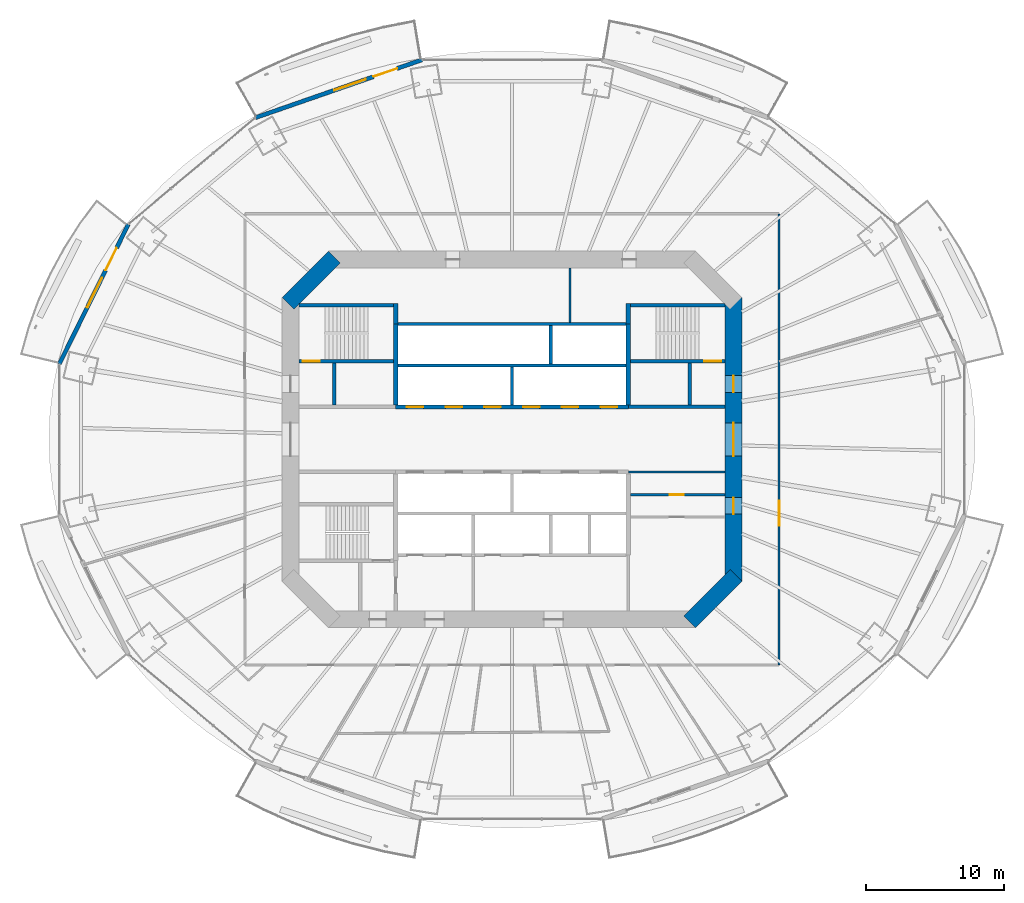
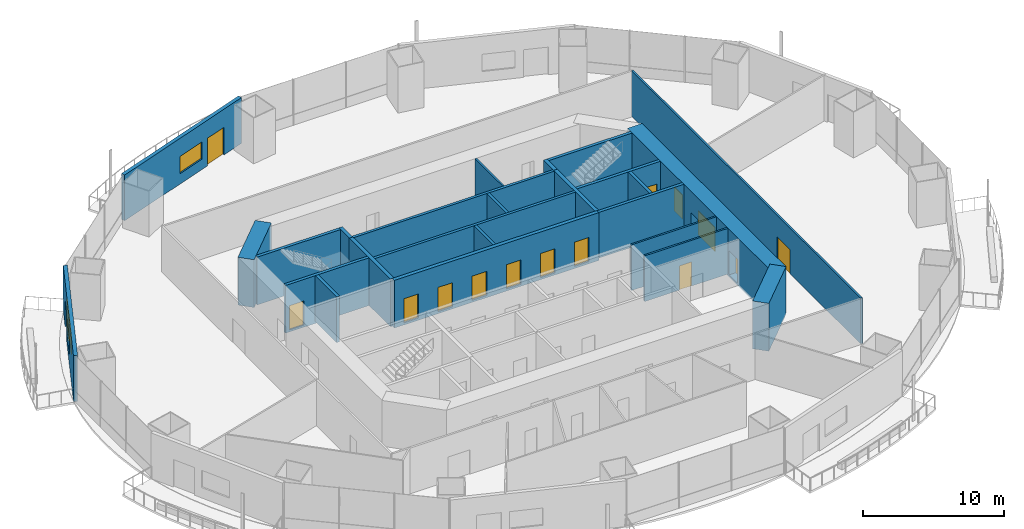
# One storey, part 14 of 20: 25 walls, 15 doors, 2 windows, 17 openings.
"""IFC4 building model written with IfcOpenShell, lengths in metres."""

from ifc_helpers import new_model, si_unit, direction, frame, frame_2d, origin, place, context, subcontext, project, spatial, rectangle, extrude, material, layer, layer_set, type_object, element, fill, save


model = new_model("IFC4")

# Units and contexts
model_context = context("Model", 3, precision=1e-05, world=origin(), true_north=direction((0.0, 1.0)))
body_context = subcontext(model_context, "Body", "Model", "MODEL_VIEW")
ifc_project = project(units=[si_unit("LENGTHUNIT", "METRE"), si_unit("AREAUNIT", "SQUARE_METRE"), si_unit("VOLUMEUNIT", "CUBIC_METRE"), si_unit("PLANEANGLEUNIT", "RADIAN"), si_unit("MASSUNIT", "GRAM", prefix="KILO")], contexts=[model_context])

# Site, building, storey
site_placement = place(None, origin())
site = spatial("IfcSite", under=ifc_project, at=site_placement, CompositionType="ELEMENT")
building_placement = place(site_placement, origin())
building = spatial("IfcBuilding", under=site, at=building_placement, Name="Marenthal Gate Tower", CompositionType="ELEMENT")
storey_placement = place(building_placement, frame((0.0, 0.0, 132.60009765625)))
storey = spatial("IfcBuildingStorey", under=building, at=storey_placement, Name="L28", CompositionType="ELEMENT", Elevation=132.60009765625)

# Wall
ifc_material_1 = material(Name="Concrete 60 MPa", Category="concrete")
ifc_layer_1 = layer(ifc_material_1, 1.199951171875)
ifc_layer_set_1 = layer_set([ifc_layer_1], Name="Core shear wall 1200")
wall_type_1 = type_object("IfcWallType", Name="Core shear wall 1200", PredefinedType="SHEAR", material=ifc_layer_set_1)
wall_1_placement = place(storey_placement, frame((12.82421875, -13.17578125, -0.18017578125), z_axis=(0.0, 0.0, 1.0), x_axis=(0.707106781187, 0.707106781187, 0.0)))
element("IfcWall", 1, at=wall_1_placement, inside=storey, type_object=wall_type_1, Name="Core wall 01", PredefinedType="SHEAR", context=body_context, shape_type="SweptSolid", body=[
    extrude(rectangle(XDim=4.73974609375, YDim=1.199951171875, at=frame_2d((2.369873046875, 0.0))), origin(), (0.0, 0.0, 1.0), 4.150146484375),
])

# Wall, openings, doors
wall_2_placement = place(storey_placement, frame((16.0, -10.24853515625, -0.18017578125), z_axis=(0.0, 0.0, 1.0), x_axis=(0.0, 1.0, 0.0)))
wall_2 = element("IfcWall", 2, at=wall_2_placement, inside=storey, type_object=wall_type_1, Name="Core wall 02", PredefinedType="SHEAR", context=body_context, shape_type="SweptSolid", body=[
    extrude(rectangle(XDim=20.4970703125, YDim=1.199951171875, at=frame_2d((10.24853515625, 0.0))), origin(), (0.0, 0.0, 1.0), 4.150146484375),
])
opening_1_placement = place(wall_2_placement, frame((9.048583984375, 0.0, 0.179931640625)))
opening_1 = element("IfcOpeningElement", 3, at=opening_1_placement, cuts=wall_2, Name="Opening D003.02", PredefinedType="OPENING", context=body_context, shape_type="SweptSolid", body=[
    extrude(rectangle(XDim=2.39990234375, YDim=2.10009765625, at=frame_2d((1.199951171875, 1.050048828125))), frame((0.0, 0.60986328125, 0.0), z_axis=(0.0, -1.0, 0.0), x_axis=(1.0, 0.0, 0.0)), (0.0, 0.0, 1.0), 1.219970703125),
])
opening_2_placement = place(wall_2_placement, frame((13.6484375, 0.0, 0.179931640625)))
opening_2 = element("IfcOpeningElement", 4, at=opening_2_placement, cuts=wall_2, Name="Opening D001.05", PredefinedType="OPENING", context=body_context, shape_type="SweptSolid", body=[
    extrude(rectangle(XDim=1.199951171875, YDim=2.10009765625, at=frame_2d((0.60009765625, 1.050048828125))), frame((0.0, 0.60986328125, 0.0), z_axis=(0.0, -1.0, 0.0), x_axis=(1.0, 0.0, 0.0)), (0.0, 0.0, 1.0), 1.219970703125),
])
opening_3_placement = place(wall_2_placement, frame((4.848388671875, 0.0, 0.179931640625)))
opening_3 = element("IfcOpeningElement", 5, at=opening_3_placement, cuts=wall_2, Name="Opening D006.01", PredefinedType="OPENING", context=body_context, shape_type="SweptSolid", body=[
    extrude(rectangle(XDim=1.199951171875, YDim=2.10009765625, at=frame_2d((0.60009765625, 1.050048828125))), frame((0.0, 0.60986328125, 0.0), z_axis=(0.0, -1.0, 0.0), x_axis=(1.0, 0.0, 0.0)), (0.0, 0.0, 1.0), 1.219970703125),
])
ifc_material_2 = material(Name="Steel fire door", Category="steel")
door_type_1 = type_object("IfcDoorType", Name="Double fire door FD 45 2400 x 2100", OperationType="DOUBLE_DOOR_SINGLE_SWING", PredefinedType="DOOR", material=ifc_material_2)
door_1_placement = place(opening_1_placement, origin())
door_1 = element("IfcDoor", 6, at=door_1_placement, inside=storey, type_object=door_type_1, Name="Door D003.02", OperationType="DOUBLE_DOOR_SINGLE_SWING", OverallHeight=2.10009765625, OverallWidth=2.39990234375, PredefinedType="DOOR", context=body_context, shape_type="SweptSolid", body=[
    extrude(rectangle(XDim=2.39990234375, YDim=2.10009765625, at=frame_2d((1.199951171875, 1.050048828125))), frame((0.0, 0.02490234375, 0.0), z_axis=(0.0, -1.0, 0.0), x_axis=(1.0, 0.0, 0.0)), (0.0, 0.0, 1.0), 0.050048828125),
])
fill(opening_1, door_1)
ifc_material_3 = material(Name="Steel fire door", Category="steel")
door_type_2 = type_object("IfcDoorType", Name="Fire door FD 45 1200 x 2100", OperationType="NOTDEFINED", PredefinedType="DOOR", material=ifc_material_3)
door_2_placement = place(opening_3_placement, origin())
door_2 = element("IfcDoor", 7, at=door_2_placement, inside=storey, type_object=door_type_2, Name="Door D006.01", OperationType="SINGLE_SWING_RIGHT", OverallHeight=2.10009765625, OverallWidth=1.199951171875, PredefinedType="DOOR", context=body_context, shape_type="SweptSolid", body=[
    extrude(rectangle(XDim=1.199951171875, YDim=2.10009765625, at=frame_2d((0.60009765625, 1.050048828125))), frame((0.0, 0.02490234375, 0.0), z_axis=(0.0, -1.0, 0.0), x_axis=(1.0, 0.0, 0.0)), (0.0, 0.0, 1.0), 0.050048828125),
])
fill(opening_3, door_2)
ifc_material_4 = material(Name="Steel fire door", Category="steel")
door_type_3 = type_object("IfcDoorType", Name="Fire door FD 90 1200 x 2100", OperationType="NOTDEFINED", PredefinedType="DOOR", material=ifc_material_4)
door_3_placement = place(opening_2_placement, origin())
door_3 = element("IfcDoor", 8, at=door_3_placement, inside=storey, type_object=door_type_3, Name="Door D001.05", OperationType="SINGLE_SWING_RIGHT", OverallHeight=2.10009765625, OverallWidth=1.199951171875, PredefinedType="DOOR", context=body_context, shape_type="SweptSolid", body=[
    extrude(rectangle(XDim=1.199951171875, YDim=2.10009765625, at=frame_2d((0.60009765625, 1.050048828125))), frame((0.0, 0.02490234375, 0.0), z_axis=(0.0, -1.0, 0.0), x_axis=(1.0, 0.0, 0.0)), (0.0, 0.0, 1.0), 0.050048828125),
])
fill(opening_2, door_3)

# Wall
wall_3_placement = place(storey_placement, frame((-12.82421875, 13.17578125, -0.18017578125), z_axis=(0.0, 0.0, 1.0), x_axis=(-0.707106781187, -0.707106781187, 0.0)))
element("IfcWall", 9, at=wall_3_placement, inside=storey, type_object=wall_type_1, Name="Core wall 05", PredefinedType="SHEAR", context=body_context, shape_type="SweptSolid", body=[
    extrude(rectangle(XDim=4.73974609375, YDim=1.199951171875, at=frame_2d((2.369873046875, 0.0))), origin(), (0.0, 0.0, 1.0), 4.150146484375),
])

# Wall, openings, doors
ifc_material_5 = material(Name="Concrete 50 MPa", Category="concrete")
ifc_layer_2 = layer(ifc_material_5, 0.300048828125)
ifc_layer_set_2 = layer_set([ifc_layer_2], Name="Hoistway shear wall 300")
wall_type_2 = type_object("IfcWallType", Name="Hoistway shear wall 300", PredefinedType="SHEAR", material=ifc_layer_set_2)
wall_4_placement = place(storey_placement, frame((-8.39990234375, 2.35009765625, -0.18017578125), z_axis=(0.0, 0.0, 1.0), x_axis=(1.0, 0.0, 0.0)))
wall_4 = element("IfcWall", 10, at=wall_4_placement, inside=storey, type_object=wall_type_2, Name="Hoistway wall 20", PredefinedType="SHEAR", context=body_context, shape_type="SweptSolid", body=[
    extrude(rectangle(XDim=16.7998046875, YDim=0.300048828125, at=frame_2d((8.39990234375, 0.0))), origin(), (0.0, 0.0, 1.0), 4.150146484375),
])
opening_4_placement = place(wall_4_placement, frame((0.800048828125, 0.0, 0.179931640625)))
opening_4 = element("IfcOpeningElement", 11, at=opening_4_placement, cuts=wall_4, Name="Opening LD-LP1", PredefinedType="OPENING", context=body_context, shape_type="SweptSolid", body=[
    extrude(rectangle(XDim=1.199951171875, YDim=2.10009765625, at=frame_2d((0.60009765625, 1.050048828125))), frame((0.0, 0.16015625, 0.0), z_axis=(0.0, -1.0, 0.0), x_axis=(1.0, 0.0, 0.0)), (0.0, 0.0, 1.0), 0.320068359375),
])
opening_5_placement = place(wall_4_placement, frame((3.60009765625, 0.0, 0.179931640625)))
opening_5 = element("IfcOpeningElement", 12, at=opening_5_placement, cuts=wall_4, Name="Opening LD-LP2", PredefinedType="OPENING", context=body_context, shape_type="SweptSolid", body=[
    extrude(rectangle(XDim=1.199951171875, YDim=2.10009765625, at=frame_2d((0.60009765625, 1.050048828125))), frame((0.0, 0.16015625, 0.0), z_axis=(0.0, -1.0, 0.0), x_axis=(1.0, 0.0, 0.0)), (0.0, 0.0, 1.0), 0.320068359375),
])
opening_6_placement = place(wall_4_placement, frame((6.39990234375, 0.0, 0.179931640625)))
opening_6 = element("IfcOpeningElement", 13, at=opening_6_placement, cuts=wall_4, Name="Opening LD-LP3", PredefinedType="OPENING", context=body_context, shape_type="SweptSolid", body=[
    extrude(rectangle(XDim=1.199951171875, YDim=2.10009765625, at=frame_2d((0.60009765625, 1.050048828125))), frame((0.0, 0.16015625, 0.0), z_axis=(0.0, -1.0, 0.0), x_axis=(1.0, 0.0, 0.0)), (0.0, 0.0, 1.0), 0.320068359375),
])
opening_7_placement = place(wall_4_placement, frame((9.199951171875, 0.0, 0.179931640625)))
opening_7 = element("IfcOpeningElement", 14, at=opening_7_placement, cuts=wall_4, Name="Opening LD-LP4", PredefinedType="OPENING", context=body_context, shape_type="SweptSolid", body=[
    extrude(rectangle(XDim=1.199951171875, YDim=2.10009765625, at=frame_2d((0.60009765625, 1.050048828125))), frame((0.0, 0.16015625, 0.0), z_axis=(0.0, -1.0, 0.0), x_axis=(1.0, 0.0, 0.0)), (0.0, 0.0, 1.0), 0.320068359375),
])
opening_8_placement = place(wall_4_placement, frame((12.0, 0.0, 0.179931640625)))
opening_8 = element("IfcOpeningElement", 15, at=opening_8_placement, cuts=wall_4, Name="Opening LD-LP5", PredefinedType="OPENING", context=body_context, shape_type="SweptSolid", body=[
    extrude(rectangle(XDim=1.199951171875, YDim=2.10009765625, at=frame_2d((0.60009765625, 1.050048828125))), frame((0.0, 0.16015625, 0.0), z_axis=(0.0, -1.0, 0.0), x_axis=(1.0, 0.0, 0.0)), (0.0, 0.0, 1.0), 0.320068359375),
])
opening_9_placement = place(wall_4_placement, frame((14.800048828125, 0.0, 0.179931640625)))
opening_9 = element("IfcOpeningElement", 16, at=opening_9_placement, cuts=wall_4, Name="Opening LD-LP6", PredefinedType="OPENING", context=body_context, shape_type="SweptSolid", body=[
    extrude(rectangle(XDim=1.199951171875, YDim=2.10009765625, at=frame_2d((0.60009765625, 1.050048828125))), frame((0.0, 0.16015625, 0.0), z_axis=(0.0, -1.0, 0.0), x_axis=(1.0, 0.0, 0.0)), (0.0, 0.0, 1.0), 0.320068359375),
])
ifc_material_6 = material(Name="Stainless steel sliding door", Category="steel")
door_type_4 = type_object("IfcDoorType", Name="Lift landing door FD 90 1200 x 2100", OperationType="DOUBLE_DOOR_SLIDING", PredefinedType="DOOR", material=ifc_material_6)
door_4_placement = place(opening_4_placement, origin())
door_4 = element("IfcDoor", 17, at=door_4_placement, inside=storey, type_object=door_type_4, Name="Lift landing door LP1", OperationType="DOUBLE_DOOR_SLIDING", OverallHeight=2.10009765625, OverallWidth=1.199951171875, PredefinedType="DOOR", context=body_context, shape_type="SweptSolid", body=[
    extrude(rectangle(XDim=1.199951171875, YDim=2.10009765625, at=frame_2d((0.60009765625, 1.050048828125))), frame((0.0, 0.02490234375, 0.0), z_axis=(0.0, -1.0, 0.0), x_axis=(1.0, 0.0, 0.0)), (0.0, 0.0, 1.0), 0.050048828125),
])
fill(opening_4, door_4)
door_5_placement = place(opening_5_placement, origin())
door_5 = element("IfcDoor", 18, at=door_5_placement, inside=storey, type_object=door_type_4, Name="Lift landing door LP2", OperationType="DOUBLE_DOOR_SLIDING", OverallHeight=2.10009765625, OverallWidth=1.199951171875, PredefinedType="DOOR", context=body_context, shape_type="SweptSolid", body=[
    extrude(rectangle(XDim=1.199951171875, YDim=2.10009765625, at=frame_2d((0.60009765625, 1.050048828125))), frame((0.0, 0.02490234375, 0.0), z_axis=(0.0, -1.0, 0.0), x_axis=(1.0, 0.0, 0.0)), (0.0, 0.0, 1.0), 0.050048828125),
])
fill(opening_5, door_5)
door_6_placement = place(opening_6_placement, origin())
door_6 = element("IfcDoor", 19, at=door_6_placement, inside=storey, type_object=door_type_4, Name="Lift landing door LP3", OperationType="DOUBLE_DOOR_SLIDING", OverallHeight=2.10009765625, OverallWidth=1.199951171875, PredefinedType="DOOR", context=body_context, shape_type="SweptSolid", body=[
    extrude(rectangle(XDim=1.199951171875, YDim=2.10009765625, at=frame_2d((0.60009765625, 1.050048828125))), frame((0.0, 0.02490234375, 0.0), z_axis=(0.0, -1.0, 0.0), x_axis=(1.0, 0.0, 0.0)), (0.0, 0.0, 1.0), 0.050048828125),
])
fill(opening_6, door_6)
door_7_placement = place(opening_7_placement, origin())
door_7 = element("IfcDoor", 20, at=door_7_placement, inside=storey, type_object=door_type_4, Name="Lift landing door LP4", OperationType="DOUBLE_DOOR_SLIDING", OverallHeight=2.10009765625, OverallWidth=1.199951171875, PredefinedType="DOOR", context=body_context, shape_type="SweptSolid", body=[
    extrude(rectangle(XDim=1.199951171875, YDim=2.10009765625, at=frame_2d((0.60009765625, 1.050048828125))), frame((0.0, 0.02490234375, 0.0), z_axis=(0.0, -1.0, 0.0), x_axis=(1.0, 0.0, 0.0)), (0.0, 0.0, 1.0), 0.050048828125),
])
fill(opening_7, door_7)
door_8_placement = place(opening_8_placement, origin())
door_8 = element("IfcDoor", 21, at=door_8_placement, inside=storey, type_object=door_type_4, Name="Lift landing door LP5", OperationType="DOUBLE_DOOR_SLIDING", OverallHeight=2.10009765625, OverallWidth=1.199951171875, PredefinedType="DOOR", context=body_context, shape_type="SweptSolid", body=[
    extrude(rectangle(XDim=1.199951171875, YDim=2.10009765625, at=frame_2d((0.60009765625, 1.050048828125))), frame((0.0, 0.02490234375, 0.0), z_axis=(0.0, -1.0, 0.0), x_axis=(1.0, 0.0, 0.0)), (0.0, 0.0, 1.0), 0.050048828125),
])
fill(opening_8, door_8)
door_9_placement = place(opening_9_placement, origin())
door_9 = element("IfcDoor", 22, at=door_9_placement, inside=storey, type_object=door_type_4, Name="Lift landing door LP6", OperationType="DOUBLE_DOOR_SLIDING", OverallHeight=2.10009765625, OverallWidth=1.199951171875, PredefinedType="DOOR", context=body_context, shape_type="SweptSolid", body=[
    extrude(rectangle(XDim=1.199951171875, YDim=2.10009765625, at=frame_2d((0.60009765625, 1.050048828125))), frame((0.0, 0.02490234375, 0.0), z_axis=(0.0, -1.0, 0.0), x_axis=(1.0, 0.0, 0.0)), (0.0, 0.0, 1.0), 0.050048828125),
])
fill(opening_9, door_9)

# Walls
for number, where, z_axis, x_axis, name in (
    (23, (-8.39990234375, 2.5, -0.18017578125), (0.0, 0.0, 1.0), (0.0, 1.0, 0.0), "Hoistway wall 32"),
    (24, (8.39990234375, 2.5, -0.18017578125), (0.0, 0.0, 1.0), (0.0, 1.0, 0.0), "Hoistway wall 44"),
):
    element("IfcWall", number, at=place(storey_placement, frame(where, z_axis=z_axis, x_axis=x_axis)), inside=storey, type_object=wall_type_2, Name=name, PredefinedType="SHEAR", context=body_context, shape_type="SweptSolid", body=[
        extrude(rectangle(XDim=5.85009765625, YDim=0.300048828125, at=frame_2d((2.925048828125, 0.0))), origin(), (0.0, 0.0, 1.0), 4.150146484375),
    ])
ifc_material_7 = material(Name="Concrete 40 MPa", Category="concrete")
ifc_layer_3 = layer(ifc_material_7, 0.219970703125)
ifc_layer_set_3 = layer_set([ifc_layer_3], Name="Hoistway wall 220")
wall_type_3 = type_object("IfcWallType", Name="Hoistway wall 220", PredefinedType="STANDARD", material=ifc_layer_set_3)
for number, where, z_axis, x_axis, name in (
    (25, (-8.25, 5.35009765625, 0.0), (0.0, 0.0, 1.0), (1.0, 0.0, 0.0), "Hoistway wall 22"),
    (26, (-8.25, 8.35009765625, 0.0), (0.0, 0.0, 1.0), (1.0, 0.0, 0.0), "Hoistway wall 25"),
):
    element("IfcWall", number, at=place(storey_placement, frame(where, z_axis=z_axis, x_axis=x_axis)), inside=storey, type_object=wall_type_3, Name=name, PredefinedType="STANDARD", context=body_context, shape_type="SweptSolid", body=[
        extrude(rectangle(XDim=16.5, YDim=0.219970703125, at=frame_2d((8.25, 0.0))), origin(), (0.0, 0.0, 1.0), 3.969970703125),
    ])
wall_5_placement = place(storey_placement, frame((0.0, 2.5, 0.0), z_axis=(0.0, 0.0, 1.0), x_axis=(0.0, 1.0, 0.0)))
element("IfcWall", 27, at=wall_5_placement, inside=storey, type_object=wall_type_3, Name="Hoistway wall 37", PredefinedType="STANDARD", context=body_context, shape_type="SweptSolid", body=[
    extrude(rectangle(XDim=2.739990234375, YDim=0.219970703125, at=frame_2d((1.3701171875, 0.0))), origin(), (0.0, 0.0, 1.0), 3.969970703125),
])
wall_6_placement = place(storey_placement, frame((2.800048828125, 5.4599609375, 0.0), z_axis=(0.0, 0.0, 1.0), x_axis=(0.0, 1.0, 0.0)))
element("IfcWall", 28, at=wall_6_placement, inside=storey, type_object=wall_type_3, Name="Hoistway wall 39", PredefinedType="STANDARD", context=body_context, shape_type="SweptSolid", body=[
    extrude(rectangle(XDim=2.780029296875, YDim=0.219970703125, at=frame_2d((1.39013671875, 0.0))), origin(), (0.0, 0.0, 1.0), 3.969970703125),
])

# Wall, opening, door
ifc_material_8 = material(Name="Gypsum board on steel studs", Category="steel")
ifc_layer_4 = layer(ifc_material_8, 0.14990234375)
ifc_layer_set_4 = layer_set([ifc_layer_4], Name="Partition 150")
wall_type_4 = type_object("IfcWallType", Name="Partition 150", PredefinedType="PARTITIONING", material=ifc_layer_set_4)
wall_7_placement = place(storey_placement, frame((8.550048828125, -4.0, 0.0), z_axis=(0.0, 0.0, 1.0), x_axis=(1.0, 0.0, 0.0)))
wall_7 = element("IfcWall", 29, at=wall_7_placement, inside=storey, type_object=wall_type_4, Name="Partition wall 15", PredefinedType="PARTITIONING", context=body_context, shape_type="SweptSolid", body=[
    extrude(rectangle(XDim=6.849853515625, YDim=0.14990234375, at=frame_2d((3.4248046875, 0.0))), origin(), (0.0, 0.0, 1.0), 3.969970703125),
])
opening_10_placement = place(wall_7_placement, frame((2.85009765625, 0.0, 0.0)))
opening_10 = element("IfcOpeningElement", 30, at=opening_10_placement, cuts=wall_7, Name="Opening D005.03", PredefinedType="OPENING", context=body_context, shape_type="SweptSolid", body=[
    extrude(rectangle(XDim=1.0, YDim=2.10009765625, at=frame_2d((0.5, 1.050048828125))), frame((0.0, 0.0849609375, 0.0), z_axis=(0.0, -1.0, 0.0), x_axis=(1.0, 0.0, 0.0)), (0.0, 0.0, 1.0), 0.169921875),
])
ifc_material_9 = material(Name="Steel fire door", Category="steel")
door_type_5 = type_object("IfcDoorType", Name="Fire door FD 45 1000 x 2100", OperationType="NOTDEFINED", PredefinedType="DOOR", material=ifc_material_9)
door_10_placement = place(opening_10_placement, origin())
door_10 = element("IfcDoor", 31, at=door_10_placement, inside=storey, type_object=door_type_5, Name="Door D005.03", OperationType="SINGLE_SWING_RIGHT", OverallHeight=2.10009765625, OverallWidth=1.0, PredefinedType="DOOR", context=body_context, shape_type="SweptSolid", body=[
    extrude(rectangle(XDim=1.0, YDim=2.10009765625, at=frame_2d((0.5, 1.050048828125))), frame((0.0, 0.02490234375, 0.0), z_axis=(0.0, -1.0, 0.0), x_axis=(1.0, 0.0, 0.0)), (0.0, 0.0, 1.0), 0.050048828125),
])
fill(opening_10, door_10)

# Walls
wall_8_placement = place(storey_placement, frame((8.39990234375, -2.35009765625, 0.0), z_axis=(0.0, 0.0, 1.0), x_axis=(1.0, 0.0, 0.0)))
element("IfcWall", 32, at=wall_8_placement, inside=storey, type_object=wall_type_4, Name="Partition wall 18", PredefinedType="PARTITIONING", context=body_context, shape_type="SweptSolid", body=[
    extrude(rectangle(XDim=7.0, YDim=0.14990234375, at=frame_2d((3.5, 0.0))), origin(), (0.0, 0.0, 1.0), 3.969970703125),
])
wall_9_placement = place(storey_placement, frame((4.199951171875, 8.4599609375, 0.0), z_axis=(0.0, 0.0, 1.0), x_axis=(0.0, 1.0, 0.0)))
element("IfcWall", 33, at=wall_9_placement, inside=storey, type_object=wall_type_4, Name="Partition wall 40", PredefinedType="PARTITIONING", context=body_context, shape_type="SweptSolid", body=[
    extrude(rectangle(XDim=3.93994140625, YDim=0.14990234375, at=frame_2d((1.969970703125, 0.0))), origin(), (0.0, 0.0, 1.0), 3.969970703125),
])

# Wall, opening, door
wall_10_placement = place(storey_placement, frame((19.300048828125, 16.300048828125, 0.0), z_axis=(0.0, 0.0, 1.0), x_axis=(0.0, -1.0, 0.0)))
wall_10 = element("IfcWall", 34, at=wall_10_placement, inside=storey, type_object=wall_type_4, Name="Partition wall 61", PredefinedType="PARTITIONING", context=body_context, shape_type="SweptSolid", body=[
    extrude(rectangle(XDim=32.60009765625, YDim=0.14990234375, at=frame_2d((16.300048828125, 0.0))), origin(), (0.0, 0.0, 1.0), 3.969970703125),
])
opening_11_placement = place(wall_10_placement, frame((20.72998046875, 0.0, 0.0)))
opening_11 = element("IfcOpeningElement", 35, at=opening_11_placement, cuts=wall_10, Name="Opening D014.03", PredefinedType="OPENING", context=body_context, shape_type="SweptSolid", body=[
    extrude(rectangle(XDim=1.800048828125, YDim=2.10009765625, at=frame_2d((0.89990234375, 1.050048828125))), frame((0.0, 0.0849609375, 0.0), z_axis=(0.0, -1.0, 0.0), x_axis=(1.0, 0.0, 0.0)), (0.0, 0.0, 1.0), 0.169921875),
])
ifc_material_10 = material(Name="Timber door", Category="wood")
door_type_6 = type_object("IfcDoorType", Name="Double door 1800 x 2100", OperationType="DOUBLE_DOOR_SINGLE_SWING", PredefinedType="DOOR", material=ifc_material_10)
door_11_placement = place(opening_11_placement, origin())
door_11 = element("IfcDoor", 36, at=door_11_placement, inside=storey, type_object=door_type_6, Name="Door D014.03", OperationType="DOUBLE_DOOR_SINGLE_SWING", OverallHeight=2.10009765625, OverallWidth=1.800048828125, PredefinedType="DOOR", context=body_context, shape_type="SweptSolid", body=[
    extrude(rectangle(XDim=1.800048828125, YDim=2.10009765625, at=frame_2d((0.89990234375, 1.050048828125))), frame((0.0, 0.02490234375, 0.0), z_axis=(0.0, -1.0, 0.0), x_axis=(1.0, 0.0, 0.0)), (0.0, 0.0, 1.0), 0.050048828125),
])
fill(opening_11, door_11)

# Walls
ifc_material_11 = material(Name="Concrete 40 MPa", Category="concrete")
ifc_layer_5 = layer(ifc_material_11, 0.25)
ifc_layer_set_5 = layer_set([ifc_layer_5], Name="Stair enclosure wall 250")
wall_type_5 = type_object("IfcWallType", Name="Stair enclosure wall 250", PredefinedType="STANDARD", material=ifc_layer_set_5)
wall_11_placement = place(storey_placement, frame((8.39990234375, 2.35009765625, 0.0), z_axis=(0.0, 0.0, 1.0), x_axis=(1.0, 0.0, 0.0)))
element("IfcWall", 37, at=wall_11_placement, inside=storey, type_object=wall_type_5, Name="Stair wall 21", PredefinedType="STANDARD", context=body_context, shape_type="SweptSolid", body=[
    extrude(rectangle(XDim=7.0, YDim=0.25, at=frame_2d((3.5, 0.0))), origin(), (0.0, 0.0, 1.0), 3.969970703125),
])
for number, where, z_axis, x_axis, name in (
    (38, (-12.85009765625, 2.47509765625, 0.0), (0.0, 0.0, 1.0), (0.0, 1.0, 0.0), "Stair wall 28"),
    (39, (12.85009765625, 2.47509765625, 0.0), (0.0, 0.0, 1.0), (0.0, 1.0, 0.0), "Stair wall 46"),
):
    element("IfcWall", number, at=place(storey_placement, frame(where, z_axis=z_axis, x_axis=x_axis)), inside=storey, type_object=wall_type_5, Name=name, PredefinedType="STANDARD", context=body_context, shape_type="SweptSolid", body=[
        extrude(rectangle(XDim=3.0498046875, YDim=0.25, at=frame_2d((1.52490234375, 0.0))), origin(), (0.0, 0.0, 1.0), 3.969970703125),
    ])

# Wall, opening, door
ifc_material_12 = material(Name="Concrete 50 MPa", Category="concrete")
ifc_layer_6 = layer(ifc_material_12, 0.25)
ifc_layer_set_6 = layer_set([ifc_layer_6], Name="Stair shear wall 250")
wall_type_6 = type_object("IfcWallType", Name="Stair shear wall 250", PredefinedType="SHEAR", material=ifc_layer_set_6)
wall_12_placement = place(storey_placement, frame((-15.39990234375, 5.64990234375, -0.18017578125), z_axis=(0.0, 0.0, 1.0), x_axis=(1.0, 0.0, 0.0)))
wall_12 = element("IfcWall", 40, at=wall_12_placement, inside=storey, type_object=wall_type_6, Name="Stair wall 23", PredefinedType="SHEAR", context=body_context, shape_type="SweptSolid", body=[
    extrude(rectangle(XDim=6.849853515625, YDim=0.25, at=frame_2d((3.4248046875, 0.0))), origin(), (0.0, 0.0, 1.0), 4.150146484375),
])
opening_12_placement = place(wall_12_placement, frame((0.300048828125, 0.0, 0.179931640625)))
opening_12 = element("IfcOpeningElement", 41, at=opening_12_placement, cuts=wall_12, Name="Opening D001.01", PredefinedType="OPENING", context=body_context, shape_type="SweptSolid", body=[
    extrude(rectangle(XDim=1.199951171875, YDim=2.10009765625, at=frame_2d((0.60009765625, 1.050048828125))), frame((0.0, 0.135009765625, 0.0), z_axis=(0.0, -1.0, 0.0), x_axis=(1.0, 0.0, 0.0)), (0.0, 0.0, 1.0), 0.27001953125),
])
door_12_placement = place(opening_12_placement, origin())
door_12 = element("IfcDoor", 42, at=door_12_placement, inside=storey, type_object=door_type_3, Name="Door D001.01", OperationType="SINGLE_SWING_RIGHT", OverallHeight=2.10009765625, OverallWidth=1.199951171875, PredefinedType="DOOR", context=body_context, shape_type="SweptSolid", body=[
    extrude(rectangle(XDim=1.199951171875, YDim=2.10009765625, at=frame_2d((0.60009765625, 1.050048828125))), frame((0.0, 0.02490234375, 0.0), z_axis=(0.0, -1.0, 0.0), x_axis=(1.0, 0.0, 0.0)), (0.0, 0.0, 1.0), 0.050048828125),
])
fill(opening_12, door_12)

wall_13_placement = place(storey_placement, frame((8.550048828125, 5.64990234375, -0.18017578125), z_axis=(0.0, 0.0, 1.0), x_axis=(1.0, 0.0, 0.0)))
wall_13 = element("IfcWall", 43, at=wall_13_placement, inside=storey, type_object=wall_type_6, Name="Stair wall 24", PredefinedType="SHEAR", context=body_context, shape_type="SweptSolid", body=[
    extrude(rectangle(XDim=6.849853515625, YDim=0.25, at=frame_2d((3.4248046875, 0.0))), origin(), (0.0, 0.0, 1.0), 4.150146484375),
])
opening_13_placement = place(wall_13_placement, frame((5.35009765625, 0.0, 0.179931640625)))
opening_13 = element("IfcOpeningElement", 44, at=opening_13_placement, cuts=wall_13, Name="Opening D001.02", PredefinedType="OPENING", context=body_context, shape_type="SweptSolid", body=[
    extrude(rectangle(XDim=1.199951171875, YDim=2.10009765625, at=frame_2d((0.60009765625, 1.050048828125))), frame((0.0, 0.135009765625, 0.0), z_axis=(0.0, -1.0, 0.0), x_axis=(1.0, 0.0, 0.0)), (0.0, 0.0, 1.0), 0.27001953125),
])
door_13_placement = place(opening_13_placement, origin())
door_13 = element("IfcDoor", 45, at=door_13_placement, inside=storey, type_object=door_type_3, Name="Door D001.02", OperationType="SINGLE_SWING_RIGHT", OverallHeight=2.10009765625, OverallWidth=1.199951171875, PredefinedType="DOOR", context=body_context, shape_type="SweptSolid", body=[
    extrude(rectangle(XDim=1.199951171875, YDim=2.10009765625, at=frame_2d((0.60009765625, 1.050048828125))), frame((0.0, 0.02490234375, 0.0), z_axis=(0.0, -1.0, 0.0), x_axis=(1.0, 0.0, 0.0)), (0.0, 0.0, 1.0), 0.050048828125),
])
fill(opening_13, door_13)

# Walls
for number, where, z_axis, x_axis, name in (
    (46, (-15.39990234375, 9.699951171875, -0.18017578125), (0.0, 0.0, 1.0), (1.0, 0.0, 0.0), "Stair wall 26"),
    (47, (8.550048828125, 9.699951171875, -0.18017578125), (0.0, 0.0, 1.0), (1.0, 0.0, 0.0), "Stair wall 27"),
):
    element("IfcWall", number, at=place(storey_placement, frame(where, z_axis=z_axis, x_axis=x_axis)), inside=storey, type_object=wall_type_6, Name=name, PredefinedType="SHEAR", context=body_context, shape_type="SweptSolid", body=[
        extrude(rectangle(XDim=6.849853515625, YDim=0.25, at=frame_2d((3.4248046875, 0.0))), origin(), (0.0, 0.0, 1.0), 4.150146484375),
    ])
ifc_material_13 = material(Name="Concrete 50 MPa", Category="concrete")
ifc_layer_7 = layer(ifc_material_13, 0.300048828125)
ifc_layer_set_7 = layer_set([ifc_layer_7], Name="Stair shear wall 300")
wall_type_7 = type_object("IfcWallType", Name="Stair shear wall 300", PredefinedType="SHEAR", material=ifc_layer_set_7)
for number, where, z_axis, x_axis, name in (
    (48, (-8.39990234375, 8.35009765625, -0.18017578125), (0.0, 0.0, 1.0), (0.0, 1.0, 0.0), "Stair wall 33"),
    (49, (8.39990234375, 8.35009765625, -0.18017578125), (0.0, 0.0, 1.0), (0.0, 1.0, 0.0), "Stair wall 45"),
):
    element("IfcWall", number, at=place(storey_placement, frame(where, z_axis=z_axis, x_axis=x_axis)), inside=storey, type_object=wall_type_7, Name=name, PredefinedType="SHEAR", context=body_context, shape_type="SweptSolid", body=[
        extrude(rectangle(XDim=1.474853515625, YDim=0.300048828125, at=frame_2d((0.7373046875, 0.0))), origin(), (0.0, 0.0, 1.0), 4.150146484375),
    ])

# Wall, openings, door, window
ifc_material_14 = material(Name="Terracotta cladding on insulated concrete-block backing", Category="masonry")
ifc_layer_8 = layer(ifc_material_14, 0.300048828125)
ifc_layer_set_8 = layer_set([ifc_layer_8], Name="Terracotta facade wall 300")
wall_type_8 = type_object("IfcWallType", Name="Terracotta facade wall 300", PredefinedType="SOLIDWALL", material=ifc_layer_set_8)
wall_14_placement = place(storey_placement, frame((-6.504638671875, 27.419921875, 0.0), z_axis=(0.0, 0.0, 1.0), x_axis=(-0.944644510201, -0.32809564055, 0.0)))
wall_14 = element("IfcWall", 50, at=wall_14_placement, inside=storey, type_object=wall_type_8, Name="Terracotta facade wall L28 bay 5", PredefinedType="SOLIDWALL", context=body_context, shape_type="SweptSolid", body=[
    extrude(rectangle(XDim=12.7236328125, YDim=0.300048828125, at=frame_2d((6.36181640625, 0.0))), origin(), (0.0, 0.0, 1.0), 3.969970703125),
])
opening_14_placement = place(wall_14_placement, frame((1.89990234375, 0.0, 0.0)))
opening_14 = element("IfcOpeningElement", 51, at=opening_14_placement, cuts=wall_14, Name="Opening BD-L28-05", PredefinedType="OPENING", context=body_context, shape_type="SweptSolid", body=[
    extrude(rectangle(XDim=1.800048828125, YDim=2.39990234375, at=frame_2d((0.89990234375, 1.199951171875))), frame((0.0, 0.16015625, 0.0), z_axis=(0.0, -1.0, 0.0), x_axis=(1.0, 0.0, 0.0)), (0.0, 0.0, 1.0), 0.320068359375),
])
opening_15_placement = place(wall_14_placement, frame((4.300048828125, 0.0, 0.89990234375)))
opening_15 = element("IfcOpeningElement", 52, at=opening_15_placement, cuts=wall_14, Name="Opening WN1-L28-05", PredefinedType="OPENING", context=body_context, shape_type="SweptSolid", body=[
    extrude(rectangle(XDim=2.39990234375, YDim=1.5, at=frame_2d((1.199951171875, 0.75))), frame((0.0, 0.16015625, 0.0), z_axis=(0.0, -1.0, 0.0), x_axis=(1.0, 0.0, 0.0)), (0.0, 0.0, 1.0), 0.320068359375),
])
ifc_material_15 = material(Name="Aluminium and glass", Category="aluminium")
door_type_7 = type_object("IfcDoorType", Name="Balcony door 1800x2400", OperationType="DOUBLE_DOOR_SINGLE_SWING", PredefinedType="DOOR", material=ifc_material_15)
door_14_placement = place(opening_14_placement, origin())
door_14 = element("IfcDoor", 53, at=door_14_placement, inside=storey, type_object=door_type_7, Name="Balcony door L28 bay 5", OperationType="SINGLE_SWING_LEFT", OverallHeight=2.39990234375, OverallWidth=1.800048828125, PredefinedType="DOOR", context=body_context, shape_type="SweptSolid", body=[
    extrude(rectangle(XDim=1.800048828125, YDim=2.39990234375, at=frame_2d((0.89990234375, 1.199951171875))), frame((0.0, 0.02490234375, 0.0), z_axis=(0.0, -1.0, 0.0), x_axis=(1.0, 0.0, 0.0)), (0.0, 0.0, 1.0), 0.050048828125),
])
fill(opening_14, door_14)
ifc_material_16 = material(Name="Aluminium and glass", Category="aluminium")
window_type = type_object("IfcWindowType", Name="Window 2400x1500", PartitioningType="TRIPLE_PANEL_VERTICAL", PredefinedType="WINDOW", material=ifc_material_16)
window_1_placement = place(opening_15_placement, origin())
window_1 = element("IfcWindow", 54, at=window_1_placement, inside=storey, type_object=window_type, Name="Window L28 bay 5", OverallHeight=1.5, OverallWidth=2.39990234375, PartitioningType="SINGLE_PANEL", PredefinedType="WINDOW", context=body_context, shape_type="SweptSolid", body=[
    extrude(rectangle(XDim=2.39990234375, YDim=1.5, at=frame_2d((1.199951171875, 0.75))), frame((0.0, 0.030029296875, 0.0), z_axis=(0.0, -1.0, 0.0), x_axis=(1.0, 0.0, 0.0)), (0.0, 0.0, 1.0), 0.06005859375),
])
fill(opening_15, window_1)

wall_15_placement = place(storey_placement, frame((-27.722900390625, 15.531982421875, 0.0), z_axis=(0.0, 0.0, 1.0), x_axis=(-0.442907927452, -0.896567101672, 0.0)))
wall_15 = element("IfcWall", 55, at=wall_15_placement, inside=storey, type_object=wall_type_8, Name="Terracotta facade wall L28 bay 7", PredefinedType="SOLIDWALL", context=body_context, shape_type="SweptSolid", body=[
    extrude(rectangle(XDim=11.240478515625, YDim=0.300048828125, at=frame_2d((5.6201171875, 0.0))), origin(), (0.0, 0.0, 1.0), 3.969970703125),
])
opening_16_placement = place(wall_15_placement, frame((1.89990234375, 0.0, 0.0)))
opening_16 = element("IfcOpeningElement", 56, at=opening_16_placement, cuts=wall_15, Name="Opening BD-L28-07", PredefinedType="OPENING", context=body_context, shape_type="SweptSolid", body=[
    extrude(rectangle(XDim=1.800048828125, YDim=2.39990234375, at=frame_2d((0.89990234375, 1.199951171875))), frame((0.0, 0.16015625, 0.0), z_axis=(0.0, -1.0, 0.0), x_axis=(1.0, 0.0, 0.0)), (0.0, 0.0, 1.0), 0.320068359375),
])
opening_17_placement = place(wall_15_placement, frame((4.300048828125, 0.0, 0.89990234375)))
opening_17 = element("IfcOpeningElement", 57, at=opening_17_placement, cuts=wall_15, Name="Opening WN1-L28-07", PredefinedType="OPENING", context=body_context, shape_type="SweptSolid", body=[
    extrude(rectangle(XDim=2.39990234375, YDim=1.5, at=frame_2d((1.199951171875, 0.75))), frame((0.0, 0.16015625, 0.0), z_axis=(0.0, -1.0, 0.0), x_axis=(1.0, 0.0, 0.0)), (0.0, 0.0, 1.0), 0.320068359375),
])
door_15_placement = place(opening_16_placement, origin())
door_15 = element("IfcDoor", 58, at=door_15_placement, inside=storey, type_object=door_type_7, Name="Balcony door L28 bay 7", OperationType="SINGLE_SWING_LEFT", OverallHeight=2.39990234375, OverallWidth=1.800048828125, PredefinedType="DOOR", context=body_context, shape_type="SweptSolid", body=[
    extrude(rectangle(XDim=1.800048828125, YDim=2.39990234375, at=frame_2d((0.89990234375, 1.199951171875))), frame((0.0, 0.02490234375, 0.0), z_axis=(0.0, -1.0, 0.0), x_axis=(1.0, 0.0, 0.0)), (0.0, 0.0, 1.0), 0.050048828125),
])
fill(opening_16, door_15)
window_2_placement = place(opening_17_placement, origin())
window_2 = element("IfcWindow", 59, at=window_2_placement, inside=storey, type_object=window_type, Name="Window L28 bay 7", OverallHeight=1.5, OverallWidth=2.39990234375, PartitioningType="SINGLE_PANEL", PredefinedType="WINDOW", context=body_context, shape_type="SweptSolid", body=[
    extrude(rectangle(XDim=2.39990234375, YDim=1.5, at=frame_2d((1.199951171875, 0.75))), frame((0.0, 0.030029296875, 0.0), z_axis=(0.0, -1.0, 0.0), x_axis=(1.0, 0.0, 0.0)), (0.0, 0.0, 1.0), 0.06005859375),
])
fill(opening_17, window_2)

save(model, "model.ifc")
